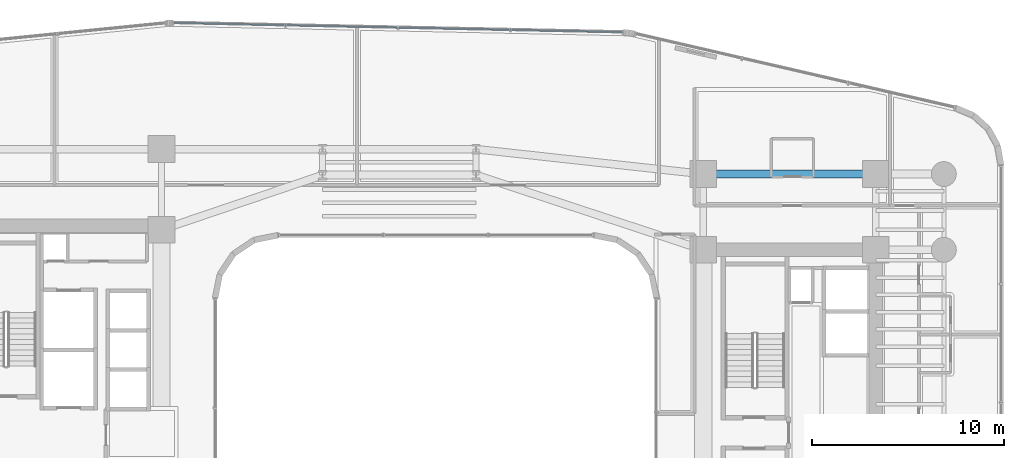
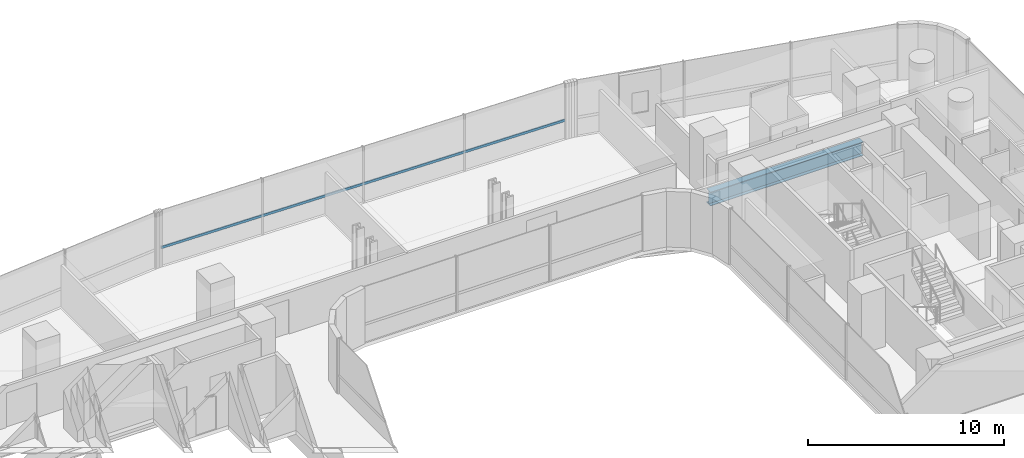
# One storey, part 23 of 40: 1 beam, 1 member, 1 element without a shape of its own.
"""IFC4 building model written with IfcOpenShell, lengths in metres."""

import ifcopenshell
import ifcopenshell.guid

model = None  # the IFC model being written
_history = None  # IfcOwnerHistory: only IFC2X3 demands one
_inside = {}  # id of a spatial element -> (the spatial element, [elements in it])
_under = {}  # id of a project, library or spatial element -> (it, [spatial elements below it])
_declared = {}  # id of a project -> (the project, [libraries it declares])
_typed = {}  # id of a type object -> (the type object, [elements of that type])
_made_of = {}  # id of a material, layer set ... -> (it, [elements and type objects made of it])


def new_model(schema):
    """Start an empty IFC model of exactly this schema.

    Asked for "IFC4X3", IfcOpenShell would pick the latest addendum, in which some entities
    have other attributes; the version numbers below select the first issue.
    IFC2X3 requires an IfcOwnerHistory on every rooted entity: one is made here for all.
    """
    global model, _history
    if schema == "IFC4X3":
        model = ifcopenshell.file(schema_version=(4, 3, 0, 0))
    else:
        model = ifcopenshell.file(schema=schema)
    _inside.clear()
    _under.clear()
    _declared.clear()
    _typed.clear()
    _made_of.clear()
    _history = None
    if model.schema == "IFC2X3":
        org = make("IfcOrganization", Name="unknown")
        user = make(
            "IfcPersonAndOrganization",
            ThePerson=make("IfcPerson", FamilyName="unknown"),
            TheOrganization=org,
        )
        app = make(
            "IfcApplication",
            ApplicationDeveloper=org,
            Version="unknown",
            ApplicationFullName="unknown",
            ApplicationIdentifier="unknown",
        )
        _history = make(
            "IfcOwnerHistory",
            OwningUser=user,
            OwningApplication=app,
            ChangeAction="ADDED",
            CreationDate=0,
        )
    return model


def make(cls, **values):
    """One entity of the class cls with the attributes given. An attribute that is None is left unset."""
    return model.create_entity(
        cls, **{name: value for name, value in values.items() if value is not None}
    )


def rooted(cls, **values):
    """An entity with a GlobalId (a new one), such as an element, a storey or a relation."""
    return make(cls, GlobalId=ifcopenshell.guid.new(), OwnerHistory=_history, **values)


def si_unit(unit_type, name, prefix=None):
    """IfcSIUnit, for example si_unit("LENGTHUNIT", "METRE", prefix="MILLI")."""
    return make("IfcSIUnit", UnitType=unit_type, Prefix=prefix, Name=name)


def assignment(units):
    """IfcUnitAssignment: the units of a project."""
    return None if units is None else make("IfcUnitAssignment", Units=units)


def point(xyz):
    """IfcCartesianPoint."""
    return None if xyz is None else make("IfcCartesianPoint", Coordinates=xyz)


def direction(xyz):
    """IfcDirection."""
    return None if xyz is None else make("IfcDirection", DirectionRatios=xyz)


def frame(location, z_axis=None, x_axis=None):
    """IfcAxis2Placement3D, a coordinate frame: its origin and axes. An axis left out is left unset."""
    return make(
        "IfcAxis2Placement3D",
        Location=point(location),
        Axis=direction(z_axis),
        RefDirection=direction(x_axis),
    )


def frame_2d(location, x_axis=None):
    """IfcAxis2Placement2D, a coordinate frame in the plane: its origin and x axis."""
    return make(
        "IfcAxis2Placement2D", Location=point(location), RefDirection=direction(x_axis)
    )


def origin():
    """The frame at (0, 0, 0) with its axes left unset."""
    return frame((0.0, 0.0, 0.0))


def origin_2d():
    """The frame at (0, 0) in the plane with its x axis left unset."""
    return frame_2d((0.0, 0.0))


def place(relative_to, where):
    """IfcLocalPlacement: puts the frame where relative to a parent placement (None: the world)."""
    return make(
        "IfcLocalPlacement", PlacementRelTo=relative_to, RelativePlacement=where
    )


def context(
    kind, dimensions, precision=None, world=None, true_north=None, identifier=None
):
    """IfcGeometricRepresentationContext, for example the 3D "Model" context."""
    return make(
        "IfcGeometricRepresentationContext",
        ContextIdentifier=identifier,
        ContextType=kind,
        CoordinateSpaceDimension=dimensions,
        Precision=precision,
        WorldCoordinateSystem=world,
        TrueNorth=true_north,
    )


def subcontext(parent, identifier, kind, view, scale=None):
    """IfcGeometricRepresentationSubContext, for example "Body" below "Model"."""
    return make(
        "IfcGeometricRepresentationSubContext",
        ContextIdentifier=identifier,
        ContextType=kind,
        ParentContext=parent,
        TargetScale=scale,
        TargetView=view,
    )


def project(units=None, contexts=None):
    """IfcProject with its units and contexts."""
    return rooted(
        "IfcProject",
        Name="project",
        RepresentationContexts=contexts,
        UnitsInContext=assignment(units),
    )


def spatial(cls, under=None, at=None, **own):
    """A site, building, storey or space (cls), placed at a placement, below another one or the project."""
    s = rooted(cls, ObjectPlacement=at, **own)
    if under is not None:
        _under.setdefault(under.id(), (under, []))[1].append(s)
    return s


def profile(cls, at=None, kind="AREA", **sizes):
    """A parametric profile (cls). Its sizes go by their IFC names, for example OverallWidth=200.0."""
    return make(cls, ProfileType=kind, Position=at, **sizes)


def hollow_rectangle(**sizes):
    """IfcRectangleHollowProfileDef."""
    return profile("IfcRectangleHollowProfileDef", **sizes)


def i_section(**sizes):
    """IfcIShapeProfileDef."""
    return profile("IfcIShapeProfileDef", **sizes)


def extrude(swept, where, along, depth):
    """IfcExtrudedAreaSolid: the profile swept, set in the frame where, extruded along a direction by depth."""
    return make(
        "IfcExtrudedAreaSolid",
        SweptArea=swept,
        Position=where,
        ExtrudedDirection=direction(along),
        Depth=depth,
    )


def shape(context_of_items, identifier, shape_type, items):
    """IfcShapeRepresentation: the items that make up one representation, for example the "Body"."""
    return make(
        "IfcShapeRepresentation",
        ContextOfItems=context_of_items,
        RepresentationIdentifier=identifier,
        RepresentationType=shape_type,
        Items=items,
    )


def source(mapping_origin, context_of_items, identifier, shape_type, items):
    """IfcRepresentationMap: a shape defined once, which mapped items show again and again."""
    return make(
        "IfcRepresentationMap",
        MappingOrigin=mapping_origin,
        MappedRepresentation=shape(context_of_items, identifier, shape_type, items),
    )


def transform(
    local_origin,
    x_axis=None,
    y_axis=None,
    z_axis=None,
    scale=None,
    scale2=None,
    scale3=None,
    uniform=True,
):
    """IfcCartesianTransformationOperator3D, or its non-uniform kind. x_axis, y_axis, z_axis: its Axis1, 2, 3."""
    if uniform:
        return make(
            "IfcCartesianTransformationOperator3D",
            Axis1=direction(x_axis),
            Axis2=direction(y_axis),
            LocalOrigin=point(local_origin),
            Scale=scale,
            Axis3=direction(z_axis),
        )
    return make(
        "IfcCartesianTransformationOperator3DnonUniform",
        Axis1=direction(x_axis),
        Axis2=direction(y_axis),
        LocalOrigin=point(local_origin),
        Scale=scale,
        Axis3=direction(z_axis),
        Scale2=scale2,
        Scale3=scale3,
    )


def mapped(mapping_source, mapping_target):
    """IfcMappedItem: shows the shape of a source again, moved by a transform."""
    return make(
        "IfcMappedItem", MappingSource=mapping_source, MappingTarget=mapping_target
    )


def material(Name=None, Category=None):
    """IfcMaterial."""
    return make("IfcMaterial", Name=Name, Category=Category)


def material_profile(
    of_material, cross_section, Name=None, Category=None, Priority=None
):
    """IfcMaterialProfile: a cross section and its material."""
    return make(
        "IfcMaterialProfile",
        Name=Name,
        Material=of_material,
        Profile=cross_section,
        Priority=Priority,
        Category=Category,
    )


def profile_set(profiles, Name=None, composite=None):
    """IfcMaterialProfileSet."""
    return make(
        "IfcMaterialProfileSet",
        Name=Name,
        MaterialProfiles=profiles,
        CompositeProfile=composite,
    )


def made_of(thing, what):
    """Note that an element or type object is made of a material, layer set ...; save() writes the relation."""
    if what is not None:
        _made_of.setdefault(what.id(), (what, []))[1].append(thing)
    return thing


def type_object(cls, material=None, **own):
    """A type object (cls), such as IfcWallType, which elements share."""
    return made_of(rooted(cls, **own), material)


def element(
    cls,
    number,
    at=None,
    inside=None,
    cuts=None,
    type_object=None,
    material=None,
    context=None,
    identifier="Body",
    shape_type=None,
    held_by="IfcProductDefinitionShape",
    body=None,
    shapes=None,
    **own,
):
    """One element of the class cls, such as IfcWall. Its Tag is "e" and its number.

    at: its placement. inside: the storey or other place that contains it. cuts: it is an
    opening in that element (IfcRelVoidsElement). A single representation is given by context,
    identifier, shape_type and body (its items); several are given by shapes. held_by: the class
    of the entity that holds the representations. save() writes the other relations.
    """
    e = rooted(cls, Tag="e%d" % number, ObjectPlacement=at, **own)
    if body is not None:
        shapes = [shape(context, identifier, shape_type, body)]
    if shapes is not None:
        e.Representation = make(held_by, Representations=shapes)
    if inside is not None:
        _inside.setdefault(inside.id(), (inside, []))[1].append(e)
    if cuts is not None:
        rooted(
            "IfcRelVoidsElement", RelatingBuildingElement=cuts, RelatedOpeningElement=e
        )
    if type_object is not None:
        _typed.setdefault(type_object.id(), (type_object, []))[1].append(e)
    return made_of(e, material)


def aggregate(whole, parts):
    """IfcRelAggregates: a whole, such as a stair, and the parts it consists of."""
    return rooted("IfcRelAggregates", RelatingObject=whole, RelatedObjects=parts)


def save(model, path):
    """Write the relations noted so far, then the file.

    IfcRelAggregates (storeys below a building ...), IfcRelContainedInSpatialStructure (elements
    in a storey), IfcRelDefinesByType, IfcRelAssociatesMaterial and IfcRelDeclares: one each for
    every whole, place, type object, material and project.
    """
    for whole, parts in _under.values():
        aggregate(whole, parts)
    for where, things in _inside.values():
        rooted(
            "IfcRelContainedInSpatialStructure",
            RelatedElements=things,
            RelatingStructure=where,
        )
    for kind, things in _typed.values():
        rooted("IfcRelDefinesByType", RelatedObjects=things, RelatingType=kind)
    for what, things in _made_of.values():
        rooted("IfcRelAssociatesMaterial", RelatedObjects=things, RelatingMaterial=what)
    for by, libraries in _declared.values():
        rooted("IfcRelDeclares", RelatingContext=by, RelatedDefinitions=libraries)
    model.write(path)


model = new_model("IFC4")

# Units and contexts
model_context = context("Model", 3, precision=1e-05, world=origin(), true_north=direction((0.0, 1.0)))
body_context = subcontext(model_context, "Body", "Model", "MODEL_VIEW")
ifc_project = project(units=[si_unit("LENGTHUNIT", "METRE"), si_unit("AREAUNIT", "SQUARE_METRE"), si_unit("VOLUMEUNIT", "CUBIC_METRE"), si_unit("PLANEANGLEUNIT", "RADIAN"), si_unit("MASSUNIT", "GRAM", prefix="KILO")], contexts=[model_context])

# Site, building, storey
site_placement = place(None, origin())
site = spatial("IfcSite", under=ifc_project, at=site_placement, CompositionType="ELEMENT")
building_placement = place(site_placement, origin())
building = spatial("IfcBuilding", under=site, at=building_placement, Name="Valdorenza Pilgrim Sanctuary Tower", CompositionType="ELEMENT")
storey_placement = place(building_placement, frame((0.0, 0.0, 66.699951171875)))
storey = spatial("IfcBuildingStorey", under=building, at=storey_placement, Name="L16", CompositionType="ELEMENT", Elevation=66.699951171875)

# Beam
ifc_material_1 = material(Name="Steel ASTM A992 Grade 50", Category="steel")
ifc_material_profile_1 = material_profile(ifc_material_1, i_section(OverallWidth=0.39990234375, OverallDepth=0.862060546875, WebThickness=0.019775390625, FlangeThickness=0.032470703125, at=origin_2d()), Name="W33X221")
ifc_profile_set_1 = profile_set([ifc_material_profile_1], Name="Steel ASTM A992 Grade 50")
beam_type = type_object("IfcBeamType", Name="STR-BM-GRD-W33", PredefinedType="BEAM", material=ifc_profile_set_1)
shared_shape_1 = source(origin(), body_context, "Body", "SweptSolid", [
    extrude(i_section(OverallWidth=0.39990234375, OverallDepth=0.862060546875, WebThickness=0.019775390625, FlangeThickness=0.032470703125, at=origin_2d()), origin(), (0.0, 0.0, 1.0), 9.0),
])
beam_placement = place(storey_placement, frame((15.85009765625, 13.5, -0.6708984375), z_axis=(1.0, 0.0, 0.0), x_axis=(0.0, 1.0, 0.0)))
element("IfcBeam", 1, at=beam_placement, inside=storey, type_object=beam_type, Name="L16 Floor Girder CB-XC-N2", PredefinedType="BEAM", context=body_context, shape_type="MappedRepresentation", body=[
    mapped(shared_shape_1, transform((0.0, 0.0, 0.0), x_axis=(1.0, 0.0, 0.0), y_axis=(0.0, 1.0, 0.0), z_axis=(0.0, 0.0, 1.0), scale=1.0)),
])

# Curtain wall, member
ifc_material_2 = material(Name="Curtain-wall IGU glazing", Category="glass")
curtain_wall_type = type_object("IfcCurtainWallType", Name="CW-SYS-02", PredefinedType="NOTDEFINED", material=ifc_material_2)
curtain_wall_placement = place(storey_placement, origin())
curtain_wall = element("IfcCurtainWall", 2, at=curtain_wall_placement, inside=storey, type_object=curtain_wall_type, Name="L16 Curtain Wall CW-L16-1-11", PredefinedType="NOTDEFINED")
ifc_material_3 = material(Name="Anodised aluminium AW-6060", Category="aluminium")
ifc_material_profile_2 = material_profile(ifc_material_3, hollow_rectangle(XDim=0.074951171875, YDim=0.14990234375, WallThickness=0.00390625, at=origin_2d()), Name="ALU-T 150x75x4")
ifc_profile_set_2 = profile_set([ifc_material_profile_2], Name="Anodised aluminium AW-6060")
member_type = type_object("IfcMemberType", Name="CW-TRN-02", PredefinedType="USERDEFINED", material=ifc_profile_set_2)
shared_shape_2 = source(origin(), body_context, "Body", "SweptSolid", [
    extrude(hollow_rectangle(XDim=0.074951171875, YDim=0.14990234375, WallThickness=0.00390625, at=origin_2d()), origin(), (0.0, 0.0, 1.0), 23.479248046875),
])
member_placement = place(storey_placement, frame((-11.808349609375, 21.385986328125, 1.1201171875), z_axis=(0.999783083794, -0.020827514476, 0.0), x_axis=(0.020827514476, 0.999783083794, 0.0)))
member = element("IfcMember", 3, at=member_placement, type_object=member_type, Name="CW-L16-1-11 Transom 1", ObjectType="TRANSOM", PredefinedType="USERDEFINED", context=body_context, shape_type="MappedRepresentation", body=[
    mapped(shared_shape_2, transform((0.0, 0.0, 0.0), x_axis=(1.0, 0.0, 0.0), y_axis=(0.0, 1.0, 0.0), z_axis=(0.0, 0.0, 1.0), scale=1.0)),
])
aggregate(curtain_wall, [member])

save(model, "model.ifc")
